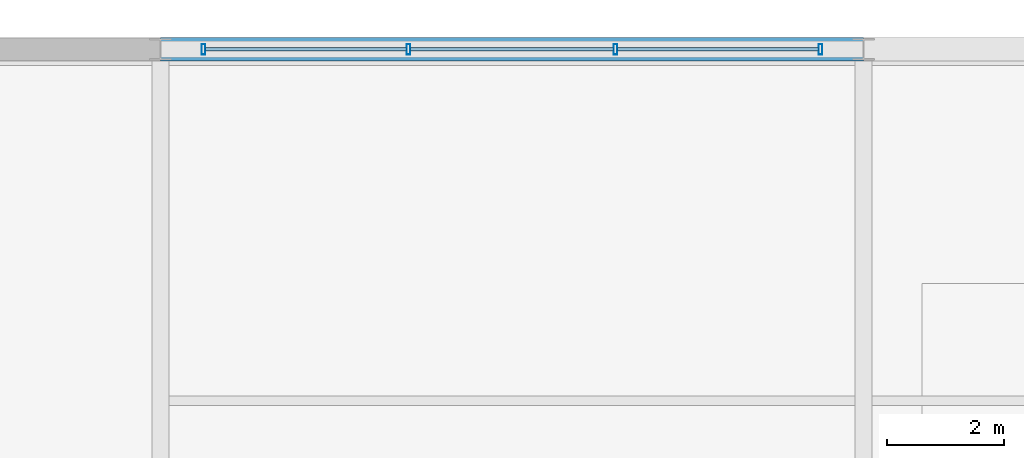
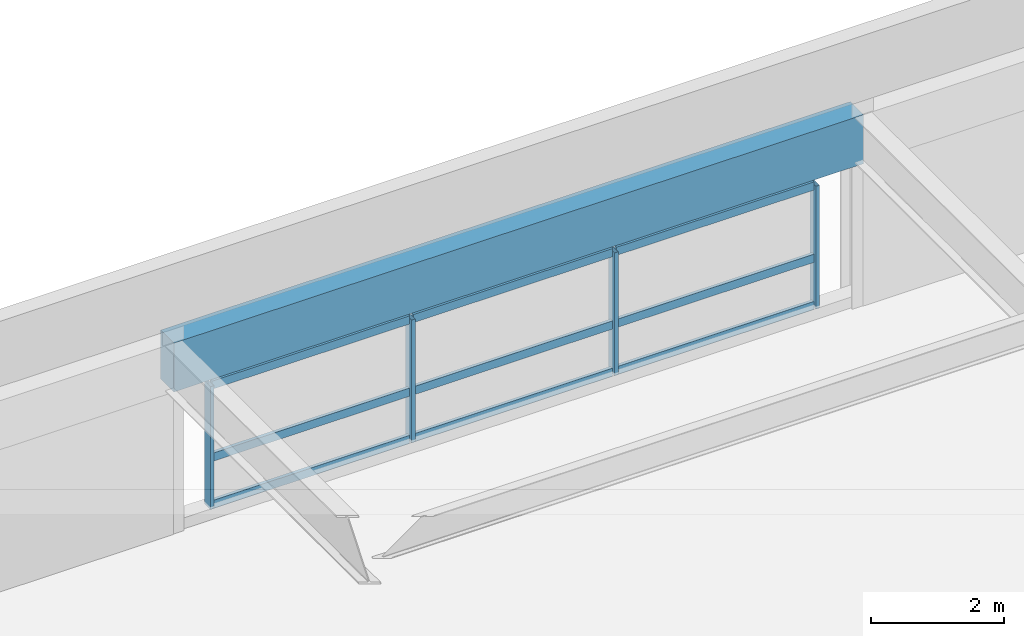
# One storey, part 45 of 108: 13 members, 1 beam, 1 element without a shape of its own.
"""IFC4 building model written with IfcOpenShell, lengths in metres."""

from ifc_helpers import new_model, si_unit, direction, frame, origin, origin_2d, place, context, subcontext, project, spatial, rectangle, hollow_rectangle, extrude, material, material_profile, profile_set, type_object, element, aggregate, save


model = new_model("IFC4")

# Units and contexts
model_context = context("Model", 3, precision=1e-05, world=origin(), true_north=direction((0.0, 1.0)))
body_context = subcontext(model_context, "Body", "Model", "MODEL_VIEW")
ifc_project = project(units=[si_unit("LENGTHUNIT", "METRE"), si_unit("AREAUNIT", "SQUARE_METRE"), si_unit("VOLUMEUNIT", "CUBIC_METRE"), si_unit("PLANEANGLEUNIT", "RADIAN"), si_unit("MASSUNIT", "GRAM", prefix="KILO")], contexts=[model_context])

# Site, building, storey
site_placement = place(None, origin())
site = spatial("IfcSite", under=ifc_project, at=site_placement, CompositionType="ELEMENT")
building_placement = place(site_placement, origin())
building = spatial("IfcBuilding", under=site, at=building_placement, Name="Kaldorvane Square Convention Centre", CompositionType="ELEMENT")
storey_placement = place(building_placement, frame((0.0, 0.0, 23.399993896484375)))
storey = spatial("IfcBuildingStorey", under=building, at=storey_placement, Name="L04", CompositionType="ELEMENT", Elevation=23.399993896484375)

# Beam
ifc_material_1 = material(Name="Concrete f'c = 42 MPa (Normalweight)", Category="concrete")
ifc_material_profile_1 = material_profile(ifc_material_1, rectangle(XDim=0.399993896484375, YDim=0.899993896484375, at=origin_2d()), Name="RCSP900X400")
ifc_profile_set_1 = profile_set([ifc_material_profile_1], Name="Concrete f'c = 42 MPa (Normalweight)")
beam_type = type_object("IfcBeamType", Name="BM-SP-RC900", PredefinedType="SPANDREL", material=ifc_profile_set_1)
beam_placement = place(storey_placement, frame((102.0, 117.0, 3.0760040283203125), z_axis=(1.0, 0.0, 0.0), x_axis=(0.0, 1.0, 0.0)))
element("IfcBeam", 1, at=beam_placement, inside=storey, type_object=beam_type, Name="Perimeter Spandrel (L04)", PredefinedType="SPANDREL", context=body_context, shape_type="SweptSolid", body=[
    extrude(rectangle(XDim=0.399993896484375, YDim=0.899993896484375, at=origin_2d()), origin(), (0.0, 0.0, 1.0), 12.0),
])

# Curtain wall, members
ifc_material_2 = material(Name="Anodized Aluminum and Low-E Insulated Glazing", Category="aluminium")
curtain_wall_type = type_object("IfcCurtainWallType", Name="CW-UNI-P42-09", PredefinedType="USERDEFINED", material=ifc_material_2)
curtain_wall_placement = place(storey_placement, origin())
curtain_wall = element("IfcCurtainWall", 2, at=curtain_wall_placement, inside=storey, type_object=curtain_wall_type, Name="Curtain Wall CW-06 (L04)", ObjectType="UNITISED GLAZING", PredefinedType="USERDEFINED")
ifc_material_profile_2 = material_profile(ifc_material_2, hollow_rectangle(XDim=0.06500244140625, YDim=0.17999267578125, WallThickness=0.0034942626953125, at=origin_2d()), Name="CWM-180X65")
ifc_profile_set_2 = profile_set([ifc_material_profile_2], Name="Anodized Aluminum and Low-E Insulated Glazing")
member_type_1 = type_object("IfcMemberType", Name="CW-MUL-180", PredefinedType="MULLION", material=ifc_profile_set_2)
member_1_placement = place(storey_placement, frame((113.26750183105469, 117.0, 0.1500091552734375), z_axis=(0.0, 0.0, 1.0), x_axis=(-1.0, 0.0, 0.0)))
member_1 = element("IfcMember", 3, at=member_1_placement, type_object=member_type_1, Name="CW-06 mullion 1", PredefinedType="MULLION", context=body_context, shape_type="SweptSolid", body=[
    extrude(hollow_rectangle(XDim=0.06500244140625, YDim=0.17999267578125, WallThickness=0.0034942626953125, at=origin_2d()), origin(), (0.0, 0.0, 1.0), 2.2599945068359375),
])
member_2_placement = place(storey_placement, frame((109.76666259765625, 117.0, 0.1500091552734375), z_axis=(0.0, 0.0, 1.0), x_axis=(-1.0, 0.0, 0.0)))
member_2 = element("IfcMember", 4, at=member_2_placement, type_object=member_type_1, Name="CW-06 mullion 2", PredefinedType="MULLION", context=body_context, shape_type="SweptSolid", body=[
    extrude(hollow_rectangle(XDim=0.06500244140625, YDim=0.17999267578125, WallThickness=0.0034942626953125, at=origin_2d()), origin(), (0.0, 0.0, 1.0), 2.2599945068359375),
])
member_3_placement = place(storey_placement, frame((106.23333740234375, 117.0, 0.1500091552734375), z_axis=(0.0, 0.0, 1.0), x_axis=(-1.0, 0.0, 0.0)))
member_3 = element("IfcMember", 5, at=member_3_placement, type_object=member_type_1, Name="CW-06 mullion 3", PredefinedType="MULLION", context=body_context, shape_type="SweptSolid", body=[
    extrude(hollow_rectangle(XDim=0.06500244140625, YDim=0.17999267578125, WallThickness=0.0034942626953125, at=origin_2d()), origin(), (0.0, 0.0, 1.0), 2.2599945068359375),
])
member_4_placement = place(storey_placement, frame((102.73249816894531, 117.0, 0.1500091552734375), z_axis=(0.0, 0.0, 1.0), x_axis=(-1.0, 0.0, 0.0)))
member_4 = element("IfcMember", 6, at=member_4_placement, type_object=member_type_1, Name="CW-06 mullion 4", PredefinedType="MULLION", context=body_context, shape_type="SweptSolid", body=[
    extrude(hollow_rectangle(XDim=0.06500244140625, YDim=0.17999267578125, WallThickness=0.0034942626953125, at=origin_2d()), origin(), (0.0, 0.0, 1.0), 2.2599945068359375),
])
ifc_material_profile_3 = material_profile(ifc_material_2, hollow_rectangle(XDim=0.05999755859375, YDim=0.149993896484375, WallThickness=0.003204345703125, at=origin_2d()), Name="CWT-150X60")
ifc_profile_set_3 = profile_set([ifc_material_profile_3], Name="Anodized Aluminum and Low-E Insulated Glazing")
member_type_2 = type_object("IfcMemberType", Name="CW-TRN-150", PredefinedType="USERDEFINED", material=ifc_profile_set_3)
member_5_placement = place(storey_placement, frame((113.23500061035156, 117.0, 0.1800079345703125), z_axis=(-1.0, 0.0, 0.0), x_axis=(0.0, -1.0, 0.0)))
member_5 = element("IfcMember", 7, at=member_5_placement, type_object=member_type_2, Name="CW-06 transom 1.1", ObjectType="TRANSOM", PredefinedType="USERDEFINED", context=body_context, shape_type="SweptSolid", body=[
    extrude(hollow_rectangle(XDim=0.05999755859375, YDim=0.149993896484375, WallThickness=0.003204345703125, at=origin_2d()), origin(), (0.0, 0.0, 1.0), 3.4358367919921875),
])
member_6_placement = place(storey_placement, frame((113.23500061035156, 117.0, 1.0500030517578125), z_axis=(-1.0, 0.0, 0.0), x_axis=(0.0, -1.0, 0.0)))
member_6 = element("IfcMember", 8, at=member_6_placement, type_object=member_type_2, Name="CW-06 transom 1.2", ObjectType="TRANSOM", PredefinedType="USERDEFINED", context=body_context, shape_type="SweptSolid", body=[
    extrude(hollow_rectangle(XDim=0.05999755859375, YDim=0.149993896484375, WallThickness=0.003204345703125, at=origin_2d()), origin(), (0.0, 0.0, 1.0), 3.4358367919921875),
])
member_7_placement = place(storey_placement, frame((113.23500061035156, 117.0, 2.3800048828125), z_axis=(-1.0, 0.0, 0.0), x_axis=(0.0, -1.0, 0.0)))
member_7 = element("IfcMember", 9, at=member_7_placement, type_object=member_type_2, Name="CW-06 transom 1.3", ObjectType="TRANSOM", PredefinedType="USERDEFINED", context=body_context, shape_type="SweptSolid", body=[
    extrude(hollow_rectangle(XDim=0.05999755859375, YDim=0.149993896484375, WallThickness=0.003204345703125, at=origin_2d()), origin(), (0.0, 0.0, 1.0), 3.4358367919921875),
])
member_8_placement = place(storey_placement, frame((109.73416137695312, 117.0, 0.1800079345703125), z_axis=(-1.0, 0.0, 0.0), x_axis=(0.0, -1.0, 0.0)))
member_8 = element("IfcMember", 10, at=member_8_placement, type_object=member_type_2, Name="CW-06 transom 2.1", ObjectType="TRANSOM", PredefinedType="USERDEFINED", context=body_context, shape_type="SweptSolid", body=[
    extrude(hollow_rectangle(XDim=0.05999755859375, YDim=0.149993896484375, WallThickness=0.003204345703125, at=origin_2d()), origin(), (0.0, 0.0, 1.0), 3.46832275390625),
])
member_9_placement = place(storey_placement, frame((109.73416137695312, 117.0, 1.0500030517578125), z_axis=(-1.0, 0.0, 0.0), x_axis=(0.0, -1.0, 0.0)))
member_9 = element("IfcMember", 11, at=member_9_placement, type_object=member_type_2, Name="CW-06 transom 2.2", ObjectType="TRANSOM", PredefinedType="USERDEFINED", context=body_context, shape_type="SweptSolid", body=[
    extrude(hollow_rectangle(XDim=0.05999755859375, YDim=0.149993896484375, WallThickness=0.003204345703125, at=origin_2d()), origin(), (0.0, 0.0, 1.0), 3.46832275390625),
])
member_10_placement = place(storey_placement, frame((109.73416137695312, 117.0, 2.3800048828125), z_axis=(-1.0, 0.0, 0.0), x_axis=(0.0, -1.0, 0.0)))
member_10 = element("IfcMember", 12, at=member_10_placement, type_object=member_type_2, Name="CW-06 transom 2.3", ObjectType="TRANSOM", PredefinedType="USERDEFINED", context=body_context, shape_type="SweptSolid", body=[
    extrude(hollow_rectangle(XDim=0.05999755859375, YDim=0.149993896484375, WallThickness=0.003204345703125, at=origin_2d()), origin(), (0.0, 0.0, 1.0), 3.46832275390625),
])
member_11_placement = place(storey_placement, frame((106.20083618164062, 117.0, 0.1800079345703125), z_axis=(-1.0, 0.0, 0.0), x_axis=(0.0, -1.0, 0.0)))
member_11 = element("IfcMember", 13, at=member_11_placement, type_object=member_type_2, Name="CW-06 transom 3.1", ObjectType="TRANSOM", PredefinedType="USERDEFINED", context=body_context, shape_type="SweptSolid", body=[
    extrude(hollow_rectangle(XDim=0.05999755859375, YDim=0.149993896484375, WallThickness=0.003204345703125, at=origin_2d()), origin(), (0.0, 0.0, 1.0), 3.4358367919921875),
])
member_12_placement = place(storey_placement, frame((106.20083618164062, 117.0, 1.0500030517578125), z_axis=(-1.0, 0.0, 0.0), x_axis=(0.0, -1.0, 0.0)))
member_12 = element("IfcMember", 14, at=member_12_placement, type_object=member_type_2, Name="CW-06 transom 3.2", ObjectType="TRANSOM", PredefinedType="USERDEFINED", context=body_context, shape_type="SweptSolid", body=[
    extrude(hollow_rectangle(XDim=0.05999755859375, YDim=0.149993896484375, WallThickness=0.003204345703125, at=origin_2d()), origin(), (0.0, 0.0, 1.0), 3.4358367919921875),
])
member_13_placement = place(storey_placement, frame((106.20083618164062, 117.0, 2.3800048828125), z_axis=(-1.0, 0.0, 0.0), x_axis=(0.0, -1.0, 0.0)))
member_13 = element("IfcMember", 15, at=member_13_placement, type_object=member_type_2, Name="CW-06 transom 3.3", ObjectType="TRANSOM", PredefinedType="USERDEFINED", context=body_context, shape_type="SweptSolid", body=[
    extrude(hollow_rectangle(XDim=0.05999755859375, YDim=0.149993896484375, WallThickness=0.003204345703125, at=origin_2d()), origin(), (0.0, 0.0, 1.0), 3.4358367919921875),
])
aggregate(curtain_wall, [member_1, member_2, member_3, member_4, member_5, member_6, member_7, member_8, member_9, member_10, member_11, member_12, member_13])

save(model, "model.ifc")
